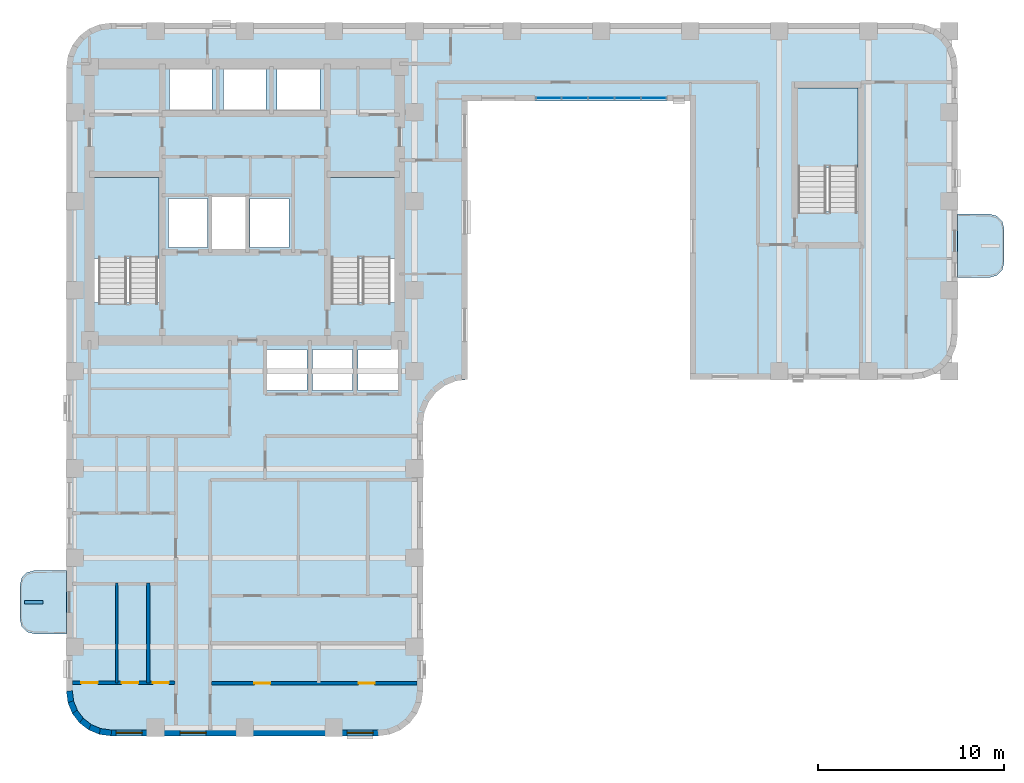
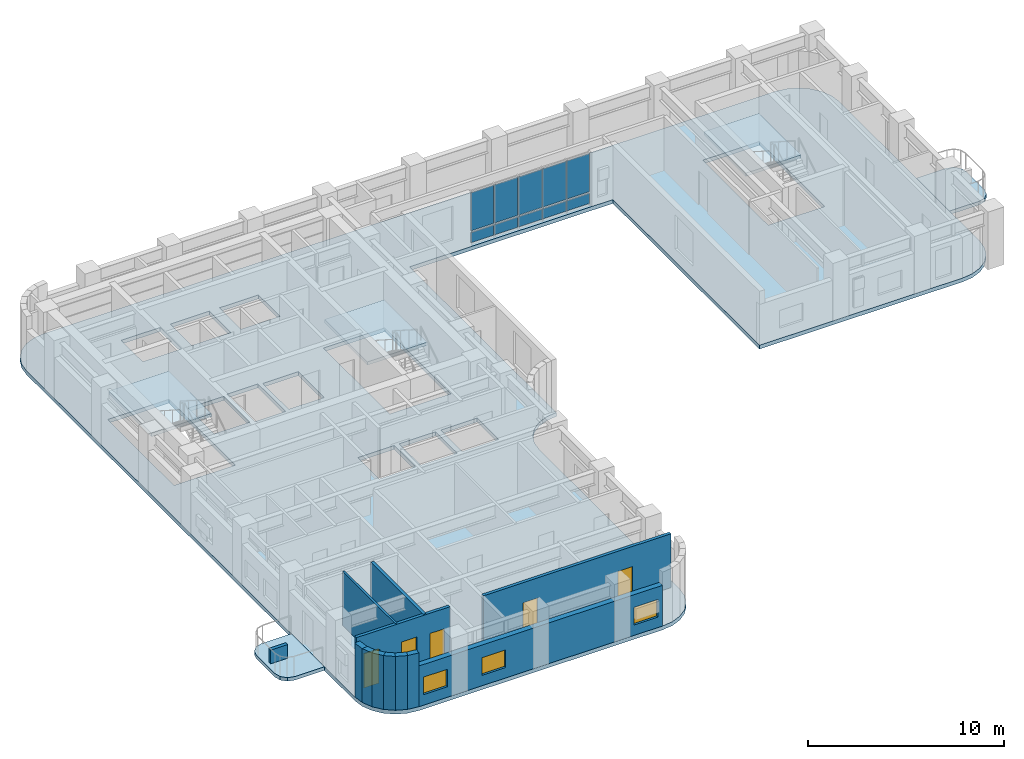
# One storey, part 3 of 11: 12 walls, 10 plates, 6 slabs, 5 doors, 3 windows, 8 openings, 4 elements without a shape of their own.
"""IFC4 building model written with IfcOpenShell, lengths in metres."""

from ifc_helpers import new_model, si_unit, direction, frame, frame_2d, origin, origin_2d, place, context, subcontext, project, spatial, polyline, rectangle, outline, extrude, material, layer, layer_set, type_object, element, fill, aggregate, save


model = new_model("IFC4")

# Units and contexts
model_context = context("Model", 3, precision=1e-05, world=origin(), true_north=direction((0.0, 1.0)))
body_context = subcontext(model_context, "Body", "Model", "MODEL_VIEW")
ifc_project = project(units=[si_unit("LENGTHUNIT", "METRE"), si_unit("AREAUNIT", "SQUARE_METRE"), si_unit("VOLUMEUNIT", "CUBIC_METRE"), si_unit("PLANEANGLEUNIT", "RADIAN"), si_unit("MASSUNIT", "GRAM", prefix="KILO")], contexts=[model_context])

# Site, building, storey
site_placement = place(None, origin())
site = spatial("IfcSite", under=ifc_project, at=site_placement, CompositionType="ELEMENT")
building_placement = place(site_placement, origin())
building = spatial("IfcBuilding", under=site, at=building_placement, Name="Orvandelia Arch Residences", CompositionType="ELEMENT")
storey_placement = place(building_placement, frame((0.0, 0.0, 175.60009765625)))
storey = spatial("IfcBuildingStorey", under=building, at=storey_placement, Name="L46", CompositionType="ELEMENT", Elevation=175.60009765625)

# Curtain wall, plates
ifc_material_1 = material(Name="Anodised Bronze Curtain Wall Assembly")
curtain_wall_type = type_object("IfcCurtainWallType", Name="CW-SYS4-PORTAL", PredefinedType="NOTDEFINED", material=ifc_material_1)
curtain_wall_placement = place(storey_placement, origin())
curtain_wall = element("IfcCurtainWall", 1, at=curtain_wall_placement, inside=storey, type_object=curtain_wall_type, Name="Void-Portal Bridge Curtain Wall L46 1", PredefinedType="NOTDEFINED")
ifc_material_2 = material(Name="Insulated Bronze Aluminium Spandrel Panel", Category="aluminium")
ifc_layer_1 = layer(ifc_material_2, 0.0400390625, Name="Insulated Bronze Aluminium Spandrel Panel", Category="aluminium")
ifc_layer_set_1 = layer_set([ifc_layer_1], Name="Insulated Bronze Aluminium Spandrel Panel")
plate_type_1 = type_object("IfcPlateType", Name="CW-PANEL-SPANDREL", PredefinedType="SHEET", material=ifc_layer_set_1)
plate_1_placement = place(storey_placement, frame((30.77197265625, 43.9599609375, 0.124755859375), z_axis=(0.0, 0.0, 1.0), x_axis=(1.0, 0.0, 0.0)))
plate_1 = element("IfcPlate", 2, at=plate_1_placement, type_object=plate_type_1, Name="Curtain Wall Spandrel Panel CW-L46-1-PS1", PredefinedType="SHEET", context=body_context, shape_type="SweptSolid", body=[
    extrude(rectangle(XDim=1.333984375, YDim=0.0400390625, at=origin_2d()), origin(), (0.0, 0.0, 1.0), 0.62646484375),
])
plate_2_placement = place(storey_placement, frame((32.176025390625, 43.9599609375, 0.124755859375), z_axis=(0.0, 0.0, 1.0), x_axis=(1.0, 0.0, 0.0)))
plate_2 = element("IfcPlate", 3, at=plate_2_placement, type_object=plate_type_1, Name="Curtain Wall Spandrel Panel CW-L46-1-PS2", PredefinedType="SHEET", context=body_context, shape_type="SweptSolid", body=[
    extrude(rectangle(XDim=1.3740234375, YDim=0.0400390625, at=origin_2d()), origin(), (0.0, 0.0, 1.0), 0.62646484375),
])
plate_3_placement = place(storey_placement, frame((33.60009765625, 43.9599609375, 0.124755859375), z_axis=(0.0, 0.0, 1.0), x_axis=(1.0, 0.0, 0.0)))
plate_3 = element("IfcPlate", 4, at=plate_3_placement, type_object=plate_type_1, Name="Curtain Wall Spandrel Panel CW-L46-1-PS3", PredefinedType="SHEET", context=body_context, shape_type="SweptSolid", body=[
    extrude(rectangle(XDim=1.3740234375, YDim=0.0400390625, at=origin_2d()), origin(), (0.0, 0.0, 1.0), 0.62646484375),
])
plate_4_placement = place(storey_placement, frame((35.02392578125, 43.9599609375, 0.124755859375), z_axis=(0.0, 0.0, 1.0), x_axis=(1.0, 0.0, 0.0)))
plate_4 = element("IfcPlate", 5, at=plate_4_placement, type_object=plate_type_1, Name="Curtain Wall Spandrel Panel CW-L46-1-PS4", PredefinedType="SHEET", context=body_context, shape_type="SweptSolid", body=[
    extrude(rectangle(XDim=1.3740234375, YDim=0.0400390625, at=origin_2d()), origin(), (0.0, 0.0, 1.0), 0.62646484375),
])
plate_5_placement = place(storey_placement, frame((36.427978515625, 43.9599609375, 0.124755859375), z_axis=(0.0, 0.0, 1.0), x_axis=(1.0, 0.0, 0.0)))
plate_5 = element("IfcPlate", 6, at=plate_5_placement, type_object=plate_type_1, Name="Curtain Wall Spandrel Panel CW-L46-1-PS5", PredefinedType="SHEET", context=body_context, shape_type="SweptSolid", body=[
    extrude(rectangle(XDim=1.333984375, YDim=0.0400390625, at=origin_2d()), origin(), (0.0, 0.0, 1.0), 0.62646484375),
])
ifc_material_3 = material(Name="Low-E Laminated Double Glazing", Category="glass")
ifc_layer_2 = layer(ifc_material_3, 0.031982421875, Name="Low-E Laminated Double Glazing", Category="glass")
ifc_layer_set_2 = layer_set([ifc_layer_2], Name="Low-E Laminated Double Glazing")
plate_type_2 = type_object("IfcPlateType", Name="CW-PANEL-VISION", PredefinedType="CURTAIN_PANEL", material=ifc_layer_set_2)
plate_6_placement = place(storey_placement, frame((30.77197265625, 43.9599609375, 0.861328125), z_axis=(0.0, 0.0, 1.0), x_axis=(1.0, 0.0, 0.0)))
plate_6 = element("IfcPlate", 7, at=plate_6_placement, type_object=plate_type_2, Name="Curtain Wall Vision Glass Panel CW-L46-1-PV1", PredefinedType="CURTAIN_PANEL", context=body_context, shape_type="SweptSolid", body=[
    extrude(rectangle(XDim=1.333984375, YDim=0.031982421875, at=origin_2d()), origin(), (0.0, 0.0, 1.0), 2.37353515625),
])
plate_7_placement = place(storey_placement, frame((32.176025390625, 43.9599609375, 0.861328125), z_axis=(0.0, 0.0, 1.0), x_axis=(1.0, 0.0, 0.0)))
plate_7 = element("IfcPlate", 8, at=plate_7_placement, type_object=plate_type_2, Name="Curtain Wall Vision Glass Panel CW-L46-1-PV2", PredefinedType="CURTAIN_PANEL", context=body_context, shape_type="SweptSolid", body=[
    extrude(rectangle(XDim=1.3740234375, YDim=0.031982421875, at=origin_2d()), origin(), (0.0, 0.0, 1.0), 2.37353515625),
])
plate_8_placement = place(storey_placement, frame((33.60009765625, 43.9599609375, 0.861328125), z_axis=(0.0, 0.0, 1.0), x_axis=(1.0, 0.0, 0.0)))
plate_8 = element("IfcPlate", 9, at=plate_8_placement, type_object=plate_type_2, Name="Curtain Wall Vision Glass Panel CW-L46-1-PV3", PredefinedType="CURTAIN_PANEL", context=body_context, shape_type="SweptSolid", body=[
    extrude(rectangle(XDim=1.3740234375, YDim=0.031982421875, at=origin_2d()), origin(), (0.0, 0.0, 1.0), 2.37353515625),
])
plate_9_placement = place(storey_placement, frame((35.02392578125, 43.9599609375, 0.861328125), z_axis=(0.0, 0.0, 1.0), x_axis=(1.0, 0.0, 0.0)))
plate_9 = element("IfcPlate", 10, at=plate_9_placement, type_object=plate_type_2, Name="Curtain Wall Vision Glass Panel CW-L46-1-PV4", PredefinedType="CURTAIN_PANEL", context=body_context, shape_type="SweptSolid", body=[
    extrude(rectangle(XDim=1.3740234375, YDim=0.031982421875, at=origin_2d()), origin(), (0.0, 0.0, 1.0), 2.37353515625),
])
plate_10_placement = place(storey_placement, frame((36.427978515625, 43.9599609375, 0.861328125), z_axis=(0.0, 0.0, 1.0), x_axis=(1.0, 0.0, 0.0)))
plate_10 = element("IfcPlate", 11, at=plate_10_placement, type_object=plate_type_2, Name="Curtain Wall Vision Glass Panel CW-L46-1-PV5", PredefinedType="CURTAIN_PANEL", context=body_context, shape_type="SweptSolid", body=[
    extrude(rectangle(XDim=1.333984375, YDim=0.031982421875, at=origin_2d()), origin(), (0.0, 0.0, 1.0), 2.37353515625),
])
aggregate(curtain_wall, [plate_1, plate_6, plate_2, plate_7, plate_3, plate_8, plate_4, plate_9, plate_5, plate_10])

# Slabs
ifc_material_4 = material(Name="Precast concrete C40/50", Category="concrete")
ifc_layer_3 = layer(ifc_material_4, 0.219970703125, Name="Precast concrete C40/50", Category="concrete")
ifc_layer_set_3 = layer_set([ifc_layer_3], Name="Precast concrete C40/50")
slab_type_1 = type_object("IfcSlabType", Name="SLB-BAL-220", PredefinedType="USERDEFINED", material=ifc_layer_set_3)
slab_1_placement = place(storey_placement, frame((0.0, 0.0, -0.22021484375)))
element("IfcSlab", 12, at=slab_1_placement, inside=storey, type_object=slab_type_1, Name="Tree Balcony Cantilever Slab BAL-L46-W1", ObjectType="BALCONY", PredefinedType="USERDEFINED", context=body_context, shape_type="SweptSolid", body=[
    extrude(outline(polyline([(4.800048828125, 15.10009765625), (4.800048828125, 18.5), (3.050048828125, 18.5), (2.675048828125, 18.3994140625), (2.400390625, 18.125), (2.300048828125, 17.75), (2.300048828125, 15.85009765625), (2.400390625, 15.47509765625), (2.675048828125, 15.200439453125), (3.050048828125, 15.10009765625), (4.800048828125, 15.10009765625)])), origin(), (0.0, 0.0, 1.0), 0.22021484375),
])
slab_2_placement = place(storey_placement, frame((0.0, 0.0, -0.22021484375)))
element("IfcSlab", 13, at=slab_2_placement, inside=storey, type_object=slab_type_1, Name="Tree Balcony Cantilever Slab BAL-L46-E1", ObjectType="BALCONY", PredefinedType="USERDEFINED", context=body_context, shape_type="SweptSolid", body=[
    extrude(outline(polyline([(52.800048828125, 37.699951171875), (52.800048828125, 34.300048828125), (54.550048828125, 34.300048828125), (54.925048828125, 34.400390625), (55.199462890625, 34.675048828125), (55.300048828125, 35.050048828125), (55.300048828125, 36.949951171875), (55.199462890625, 37.324951171875), (54.925048828125, 37.599609375), (54.550048828125, 37.699951171875), (52.800048828125, 37.699951171875)])), origin(), (0.0, 0.0, 1.0), 0.22021484375),
])

# Stair, slab
ifc_material_5 = material(Name="Concrete C40/50", Category="concrete")
stair_type = type_object("IfcStairType", Name="STAIR-RC-DOGLEG", PredefinedType="HALF_TURN_STAIR", material=ifc_material_5)
stair_1_placement = place(storey_placement, origin())
stair_1 = element("IfcStair", 14, at=stair_1_placement, inside=storey, type_object=stair_type, Name="L46 Protected Exit Stair ST-1", PredefinedType="HALF_TURN_STAIR")
ifc_layer_4 = layer(ifc_material_5, 0.219970703125, Name="Concrete C40/50", Category="concrete")
ifc_layer_set_4 = layer_set([ifc_layer_4], Name="Concrete C40/50")
slab_type_2 = type_object("IfcSlabType", Name="SLB-LANDING-220", PredefinedType="LANDING", material=ifc_layer_set_4)
slab_3_placement = place(storey_placement, frame((0.0, 0.0, 1.599853515625)))
slab_3 = element("IfcSlab", 15, at=slab_3_placement, type_object=slab_type_2, Name="ST-1 landing 1", PredefinedType="LANDING", context=body_context, shape_type="SweptSolid", body=[
    extrude(outline(polyline([(9.800048828125, 35.31005859375), (9.800048828125, 39.68994140625), (6.260009765625, 39.68994140625), (6.260009765625, 35.31005859375), (9.800048828125, 35.31005859375)])), origin(), (0.0, 0.0, 1.0), 0.199951171875),
])
aggregate(stair_1, [slab_3])

stair_2_placement = place(storey_placement, origin())
stair_2 = element("IfcStair", 16, at=stair_2_placement, inside=storey, type_object=stair_type, Name="L46 Protected Exit Stair ST-2", PredefinedType="HALF_TURN_STAIR")
slab_4_placement = place(storey_placement, frame((0.0, 0.0, 1.599853515625)))
slab_4 = element("IfcSlab", 17, at=slab_4_placement, type_object=slab_type_2, Name="ST-2 landing 1", PredefinedType="LANDING", context=body_context, shape_type="SweptSolid", body=[
    extrude(outline(polyline([(22.5400390625, 35.31005859375), (22.5400390625, 39.68994140625), (19.0, 39.68994140625), (19.0, 35.31005859375), (22.5400390625, 35.31005859375)])), origin(), (0.0, 0.0, 1.0), 0.199951171875),
])
aggregate(stair_2, [slab_4])

stair_3_placement = place(storey_placement, origin())
stair_3 = element("IfcStair", 18, at=stair_3_placement, inside=storey, type_object=stair_type, Name="L46 East Wing Exit Stair ST-3", PredefinedType="HALF_TURN_STAIR")
slab_5_placement = place(storey_placement, frame((0.0, 0.0, 1.599853515625)))
slab_5 = element("IfcSlab", 19, at=slab_5_placement, type_object=slab_type_2, Name="ST-3 landing 1", PredefinedType="LANDING", context=body_context, shape_type="SweptSolid", body=[
    extrude(outline(polyline([(47.43994140625, 40.2099609375), (47.43994140625, 44.5), (44.179931640625, 44.5), (44.179931640625, 40.2099609375), (47.43994140625, 40.2099609375)])), origin(), (0.0, 0.0, 1.0), 0.199951171875),
])
aggregate(stair_3, [slab_5])

# Slab
ifc_layer_5 = layer(ifc_material_5, 0.239990234375, Name="Concrete C40/50", Category="concrete")
ifc_layer_set_5 = layer_set([ifc_layer_5], Name="Concrete C40/50")
slab_type_3 = type_object("IfcSlabType", Name="SLB-TWR-240", PredefinedType="FLOOR", material=ifc_layer_set_5)
slab_6_placement = place(storey_placement, frame((0.0, 0.0, -0.239990234375)))
element("IfcSlab", 20, at=slab_6_placement, inside=storey, type_object=slab_type_3, Name="Structural Floor Slab L46-1", PredefinedType="FLOOR", context=body_context, shape_type="SweptSolid", body=[
    extrude(outline(polyline([(4.800048828125, 12.0), (4.8818359375, 11.37890625), (5.12158203125, 10.800048828125), (5.5029296875, 10.302978515625), (6.0, 9.92138671875), (6.578857421875, 9.681884765625), (7.199951171875, 9.60009765625), (21.60009765625, 9.60009765625), (22.22119140625, 9.681884765625), (22.800048828125, 9.92138671875), (23.297119140625, 10.302978515625), (23.678466796875, 10.800048828125), (23.918212890625, 11.37890625), (24.0, 12.0), (24.0, 26.39990234375), (24.081787109375, 27.021240234375), (24.321533203125, 27.60009765625), (24.702880859375, 28.09716796875), (25.199951171875, 28.478515625), (25.77880859375, 28.71826171875), (26.39990234375, 28.800048828125), (26.39990234375, 43.800048828125), (38.39990234375, 43.800048828125), (38.39990234375, 28.800048828125), (50.39990234375, 28.800048828125), (51.021240234375, 28.8818359375), (51.60009765625, 29.12158203125), (52.09716796875, 29.5029296875), (52.478515625, 30.0), (52.71826171875, 30.578857421875), (52.800048828125, 31.199951171875), (52.800048828125, 45.60009765625), (52.71826171875, 46.22119140625), (52.478515625, 46.800048828125), (52.09716796875, 47.297119140625), (51.60009765625, 47.678466796875), (51.021240234375, 47.918212890625), (50.39990234375, 48.0), (7.199951171875, 48.0), (6.578857421875, 47.918212890625), (6.0, 47.678466796875), (5.5029296875, 47.297119140625), (5.12158203125, 46.800048828125), (4.8818359375, 46.22119140625), (4.800048828125, 45.60009765625), (4.800048828125, 12.0)]), holes=[polyline([(6.219970703125, 32.949951171875), (9.840087890625, 32.949951171875), (9.840087890625, 39.72998046875), (6.219970703125, 39.72998046875), (6.219970703125, 32.949951171875)]), polyline([(18.9599609375, 32.949951171875), (22.580078125, 32.949951171875), (22.580078125, 39.72998046875), (18.9599609375, 39.72998046875), (18.9599609375, 32.949951171875)]), polyline([(44.139892578125, 37.85009765625), (47.47998046875, 37.85009765625), (47.47998046875, 44.5400390625), (44.139892578125, 44.5400390625), (44.139892578125, 37.85009765625)]), polyline([(12.639892578125, 35.81005859375), (14.4599609375, 35.81005859375), (14.4599609375, 38.639892578125), (12.639892578125, 38.639892578125), (12.639892578125, 35.81005859375)]), polyline([(10.300048828125, 35.89990234375), (12.39990234375, 35.89990234375), (12.39990234375, 38.550048828125), (10.300048828125, 38.550048828125), (10.300048828125, 35.89990234375)]), polyline([(14.699951171875, 35.89990234375), (16.800048828125, 35.89990234375), (16.800048828125, 38.550048828125), (14.699951171875, 38.550048828125), (14.699951171875, 35.89990234375)]), polyline([(10.35009765625, 43.300048828125), (12.64990234375, 43.300048828125), (12.64990234375, 45.5), (10.35009765625, 45.5), (10.35009765625, 43.300048828125)]), polyline([(13.25, 43.300048828125), (15.550048828125, 43.300048828125), (15.550048828125, 45.5), (13.25, 45.5), (13.25, 43.300048828125)]), polyline([(16.14990234375, 43.300048828125), (18.449951171875, 43.300048828125), (18.449951171875, 45.5), (16.14990234375, 45.5), (16.14990234375, 43.300048828125)]), polyline([(15.60009765625, 28.199951171875), (17.75, 28.199951171875), (17.75, 30.39990234375), (15.60009765625, 30.39990234375), (15.60009765625, 28.199951171875)]), polyline([(18.050048828125, 28.199951171875), (20.199951171875, 28.199951171875), (20.199951171875, 30.39990234375), (18.050048828125, 30.39990234375), (18.050048828125, 28.199951171875)]), polyline([(20.5, 28.199951171875), (22.64990234375, 28.199951171875), (22.64990234375, 30.39990234375), (20.5, 30.39990234375), (20.5, 28.199951171875)])]), origin(), (0.0, 0.0, 1.0), 0.239990234375),
])

# Wall, openings, windows
ifc_layer_6 = layer(ifc_material_4, 0.320068359375, Name="Precast concrete C40/50", Category="concrete")
ifc_layer_set_6 = layer_set([ifc_layer_6], Name="Precast concrete C40/50")
wall_type_1 = type_object("IfcWallType", Name="WL-EXT-STONE-320", PredefinedType="STANDARD", material=ifc_layer_set_6)
wall_1_placement = place(storey_placement, frame((21.60009765625, 9.760009765625, 0.0), z_axis=(0.0, 0.0, 1.0), x_axis=(-1.0, 0.0, 0.0)))
wall_1 = element("IfcWall", 21, at=wall_1_placement, inside=storey, type_object=wall_type_1, Name="Coral-Limestone Precast Facade Wall L46-039", PredefinedType="STANDARD", context=body_context, shape_type="SweptSolid", body=[
    extrude(rectangle(XDim=14.400146484375, YDim=0.320068359375, at=frame_2d((7.2001953125, 0.0))), origin(), (0.0, 0.0, 1.0), 2.539794921875),
])
opening_1_placement = place(wall_1_placement, frame((0.282470703125, 0.0, 0.64990234375)))
opening_1 = element("IfcOpeningElement", 22, at=opening_1_placement, cuts=wall_1, Name="Opening W10", PredefinedType="OPENING", context=body_context, shape_type="SweptSolid", body=[
    extrude(rectangle(XDim=1.39990234375, YDim=1.10009765625, at=frame_2d((0.699951171875, 0.550048828125))), frame((0.0, 0.169921875, 0.0), z_axis=(0.0, -1.0, 0.0), x_axis=(1.0, 0.0, 0.0)), (0.0, 0.0, 1.0), 0.340087890625),
])
opening_2_placement = place(wall_1_placement, frame((9.27490234375, 0.0, 0.64990234375)))
opening_2 = element("IfcOpeningElement", 23, at=opening_2_placement, cuts=wall_1, Name="Opening W10", PredefinedType="OPENING", context=body_context, shape_type="SweptSolid", body=[
    extrude(rectangle(XDim=1.39990234375, YDim=1.10009765625, at=frame_2d((0.699951171875, 0.550048828125))), frame((0.0, 0.169921875, 0.0), z_axis=(0.0, -1.0, 0.0), x_axis=(1.0, 0.0, 0.0)), (0.0, 0.0, 1.0), 0.340087890625),
])
opening_3_placement = place(wall_1_placement, frame((12.717529296875, 0.0, 0.64990234375)))
opening_3 = element("IfcOpeningElement", 24, at=opening_3_placement, cuts=wall_1, Name="Opening W10", PredefinedType="OPENING", context=body_context, shape_type="SweptSolid", body=[
    extrude(rectangle(XDim=1.39990234375, YDim=1.10009765625, at=frame_2d((0.699951171875, 0.550048828125))), frame((0.0, 0.169921875, 0.0), z_axis=(0.0, -1.0, 0.0), x_axis=(1.0, 0.0, 0.0)), (0.0, 0.0, 1.0), 0.340087890625),
])
ifc_material_6 = material(Name="Tempered Low-E Insulated Glazing", Category="glass")
window_type = type_object("IfcWindowType", Name="WIN-CLR-1400x1100", PartitioningType="SINGLE_PANEL", PredefinedType="WINDOW", material=ifc_material_6)
window_1_placement = place(opening_1_placement, origin())
window_1 = element("IfcWindow", 25, at=window_1_placement, inside=storey, type_object=window_type, Name="Recessed Punched Window L46-021", OverallHeight=1.10009765625, OverallWidth=1.39990234375, PartitioningType="SINGLE_PANEL", PredefinedType="WINDOW", context=body_context, shape_type="SweptSolid", body=[
    extrude(rectangle(XDim=1.39990234375, YDim=1.10009765625, at=frame_2d((0.699951171875, 0.550048828125))), frame((0.0, 0.030029296875, 0.0), z_axis=(0.0, -1.0, 0.0), x_axis=(1.0, 0.0, 0.0)), (0.0, 0.0, 1.0), 0.06005859375),
])
fill(opening_1, window_1)
window_2_placement = place(opening_2_placement, origin())
window_2 = element("IfcWindow", 26, at=window_2_placement, inside=storey, type_object=window_type, Name="Recessed Punched Window L46-022", OverallHeight=1.10009765625, OverallWidth=1.39990234375, PartitioningType="SINGLE_PANEL", PredefinedType="WINDOW", context=body_context, shape_type="SweptSolid", body=[
    extrude(rectangle(XDim=1.39990234375, YDim=1.10009765625, at=frame_2d((0.699951171875, 0.550048828125))), frame((0.0, 0.030029296875, 0.0), z_axis=(0.0, -1.0, 0.0), x_axis=(1.0, 0.0, 0.0)), (0.0, 0.0, 1.0), 0.06005859375),
])
fill(opening_2, window_2)
window_3_placement = place(opening_3_placement, origin())
window_3 = element("IfcWindow", 27, at=window_3_placement, inside=storey, type_object=window_type, Name="Recessed Punched Window L46-023", OverallHeight=1.10009765625, OverallWidth=1.39990234375, PartitioningType="SINGLE_PANEL", PredefinedType="WINDOW", context=body_context, shape_type="SweptSolid", body=[
    extrude(rectangle(XDim=1.39990234375, YDim=1.10009765625, at=frame_2d((0.699951171875, 0.550048828125))), frame((0.0, 0.030029296875, 0.0), z_axis=(0.0, -1.0, 0.0), x_axis=(1.0, 0.0, 0.0)), (0.0, 0.0, 1.0), 0.06005859375),
])
fill(opening_3, window_3)

# Walls
wall_2_placement = place(storey_placement, frame((7.220947265625, 9.758544921875, 0.0), z_axis=(0.0, 0.0, 1.0), x_axis=(-0.991447664465, 0.130504898859, 0.0)))
element("IfcWall", 28, at=wall_2_placement, inside=storey, type_object=wall_type_1, Name="Coral-Limestone Precast Facade Wall L46-040", PredefinedType="STANDARD", context=body_context, shape_type="SweptSolid", body=[
    extrude(rectangle(XDim=0.626708984375, YDim=0.320068359375, at=frame_2d((0.3134765625, 0.0))), origin(), (0.0, 0.0, 1.0), 3.35986328125),
])
wall_3_placement = place(storey_placement, frame((6.639892578125, 9.82958984375, 0.0), z_axis=(0.0, 0.0, 1.0), x_axis=(-0.923836271867, 0.382787856107, 0.0)))
element("IfcWall", 29, at=wall_3_placement, inside=storey, type_object=wall_type_1, Name="Coral-Limestone Precast Facade Wall L46-041", PredefinedType="STANDARD", context=body_context, shape_type="SweptSolid", body=[
    extrude(rectangle(XDim=0.626220703125, YDim=0.320068359375, at=frame_2d((0.31298828125, 0.0))), origin(), (0.0, 0.0, 1.0), 3.35986328125),
])
wall_4_placement = place(storey_placement, frame((6.097412109375, 10.04833984375, 0.0), z_axis=(0.0, 0.0, 1.0), x_axis=(-0.793405610854, 0.608693302629, 0.0)))
element("IfcWall", 30, at=wall_4_placement, inside=storey, type_object=wall_type_1, Name="Coral-Limestone Precast Facade Wall L46-042", PredefinedType="STANDARD", context=body_context, shape_type="SweptSolid", body=[
    extrude(rectangle(XDim=0.62646484375, YDim=0.320068359375, at=frame_2d((0.313232421875, 0.0))), origin(), (0.0, 0.0, 1.0), 3.35986328125),
])
wall_5_placement = place(storey_placement, frame((5.6298828125, 10.400390625, 0.0), z_axis=(0.0, 0.0, 1.0), x_axis=(-0.608938521285, 0.7932174212, 0.0)))
element("IfcWall", 31, at=wall_5_placement, inside=storey, type_object=wall_type_1, Name="Coral-Limestone Precast Facade Wall L46-043", PredefinedType="STANDARD", context=body_context, shape_type="SweptSolid", body=[
    extrude(rectangle(XDim=0.626708984375, YDim=0.320068359375, at=frame_2d((0.3134765625, 0.0))), origin(), (0.0, 0.0, 1.0), 3.35986328125),
])
wall_6_placement = place(storey_placement, frame((5.269287109375, 10.861083984375, 0.0), z_axis=(0.0, 0.0, 1.0), x_axis=(-0.382650053678, 0.92389335771, 0.0)))
element("IfcWall", 32, at=wall_6_placement, inside=storey, type_object=wall_type_1, Name="Coral-Limestone Precast Facade Wall L46-044", PredefinedType="STANDARD", context=body_context, shape_type="SweptSolid", body=[
    extrude(rectangle(XDim=0.62646484375, YDim=0.320068359375, at=frame_2d((0.313232421875, 0.0))), origin(), (0.0, 0.0, 1.0), 3.35986328125),
])
wall_7_placement = place(storey_placement, frame((5.040283203125, 11.399658203125, 0.0), z_axis=(0.0, 0.0, 1.0), x_axis=(-0.130504898859, 0.991447664465, 0.0)))
element("IfcWall", 33, at=wall_7_placement, inside=storey, type_object=wall_type_1, Name="Coral-Limestone Precast Facade Wall L46-045", PredefinedType="STANDARD", context=body_context, shape_type="SweptSolid", body=[
    extrude(rectangle(XDim=0.626708984375, YDim=0.320068359375, at=frame_2d((0.3134765625, 0.0))), origin(), (0.0, 0.0, 1.0), 3.35986328125),
])
ifc_material_7 = material(Name="Lightweight Gypsum Stud Partition")
ifc_layer_7 = layer(ifc_material_7, 0.1201171875, Name="Lightweight Gypsum Stud Partition")
ifc_layer_set_7 = layer_set([ifc_layer_7], Name="Lightweight Gypsum Stud Partition")
wall_type_2 = type_object("IfcWallType", Name="WL-PART-120", PredefinedType="PARTITIONING", material=ifc_layer_set_7)
wall_8_placement = place(storey_placement, frame((7.514892578125, 12.4619140625, 0.0), z_axis=(0.0, 0.0, 1.0), x_axis=(0.0, 1.0, 0.0)))
element("IfcWall", 34, at=wall_8_placement, inside=storey, type_object=wall_type_2, Name="Interior Partition Wall WL-L46-U01-V1", PredefinedType="PARTITIONING", context=body_context, shape_type="SweptSolid", body=[
    extrude(rectangle(XDim=5.378173828125, YDim=0.1201171875, at=frame_2d((2.68896484375, 0.0))), origin(), (0.0, 0.0, 1.0), 3.35986328125),
])
ifc_layer_8 = layer(ifc_material_4, 0.199951171875, Name="Precast concrete C40/50", Category="concrete")
ifc_layer_set_8 = layer_set([ifc_layer_8], Name="Precast concrete C40/50")
wall_type_3 = type_object("IfcWallType", Name="WL-PLANTER-200", PredefinedType="MOVABLE", material=ifc_layer_set_8)
wall_9_placement = place(storey_placement, frame((2.550048828125, 16.800048828125, 0.0), z_axis=(0.0, 0.0, 1.0), x_axis=(1.0, 0.0, 0.0)))
element("IfcWall", 35, at=wall_9_placement, inside=storey, type_object=wall_type_3, Name="Balcony Precast Tree Planter BAL-L46-W1", PredefinedType="MOVABLE", context=body_context, shape_type="SweptSolid", body=[
    extrude(rectangle(XDim=1.0, YDim=0.199951171875, at=frame_2d((0.5, 0.0))), origin(), (0.0, 0.0, 1.0), 0.849853515625),
])

# Wall, openings, doors
ifc_material_8 = material(Name="Moisture-Resistant Plumbing Wall")
ifc_layer_9 = layer(ifc_material_8, 0.179931640625, Name="Moisture-Resistant Plumbing Wall")
ifc_layer_set_9 = layer_set([ifc_layer_9], Name="Moisture-Resistant Plumbing Wall")
wall_type_4 = type_object("IfcWallType", Name="WL-WET-180", PredefinedType="PLUMBINGWALL", material=ifc_layer_set_9)
wall_10_placement = place(storey_placement, frame((5.1201171875, 12.4619140625, 0.0), z_axis=(0.0, 0.0, 1.0), x_axis=(1.0, 0.0, 0.0)))
wall_10 = element("IfcWall", 36, at=wall_10_placement, inside=storey, type_object=wall_type_4, Name="Interior Partition Wall WL-L46-U01-HZ", PredefinedType="PLUMBINGWALL", context=body_context, shape_type="SweptSolid", body=[
    extrude(rectangle(XDim=5.519775390625, YDim=0.179931640625, at=frame_2d((2.759765625, 0.0))), origin(), (0.0, 0.0, 1.0), 3.35986328125),
])
opening_4_placement = place(wall_10_placement, frame((0.47216796875, 0.0, 0.0)))
opening_4 = element("IfcOpeningElement", 37, at=opening_4_placement, cuts=wall_10, Name="Opening D3", PredefinedType="OPENING", context=body_context, shape_type="SweptSolid", body=[
    extrude(rectangle(XDim=0.89990234375, YDim=2.14990234375, at=frame_2d((0.449951171875, 1.074951171875))), frame((0.0, 0.10009765625, 0.0), z_axis=(0.0, -1.0, 0.0), x_axis=(1.0, 0.0, 0.0)), (0.0, 0.0, 1.0), 0.199951171875),
])
opening_5_placement = place(wall_10_placement, frame((2.655029296875, 0.0, 0.0)))
opening_5 = element("IfcOpeningElement", 38, at=opening_5_placement, cuts=wall_10, Name="Opening D3", PredefinedType="OPENING", context=body_context, shape_type="SweptSolid", body=[
    extrude(rectangle(XDim=0.89990234375, YDim=2.14990234375, at=frame_2d((0.449951171875, 1.074951171875))), frame((0.0, 0.10009765625, 0.0), z_axis=(0.0, -1.0, 0.0), x_axis=(1.0, 0.0, 0.0)), (0.0, 0.0, 1.0), 0.199951171875),
])
opening_6_placement = place(wall_10_placement, frame((4.342041015625, 0.0, 0.0)))
opening_6 = element("IfcOpeningElement", 39, at=opening_6_placement, cuts=wall_10, Name="Opening D4", PredefinedType="OPENING", context=body_context, shape_type="SweptSolid", body=[
    extrude(rectangle(XDim=0.860107421875, YDim=2.10009765625, at=frame_2d((0.43017578125, 1.050048828125))), frame((0.0, 0.10009765625, 0.0), z_axis=(0.0, -1.0, 0.0), x_axis=(1.0, 0.0, 0.0)), (0.0, 0.0, 1.0), 0.199951171875),
])
ifc_material_9 = material(Name="Engineered Timber Flush Door", Category="wood")
door_type_1 = type_object("IfcDoorType", Name="DR-INT-900", OperationType="NOTDEFINED", PredefinedType="DOOR", material=ifc_material_9)
door_1_placement = place(opening_4_placement, origin())
door_1 = element("IfcDoor", 40, at=door_1_placement, inside=storey, type_object=door_type_1, Name="DR-L46-U01-BD1", OperationType="SINGLE_SWING_LEFT", OverallHeight=2.14990234375, OverallWidth=0.89990234375, PredefinedType="DOOR", context=body_context, shape_type="SweptSolid", body=[
    extrude(rectangle(XDim=0.89990234375, YDim=2.14990234375, at=frame_2d((0.449951171875, 1.074951171875))), frame((0.0, 0.02490234375, 0.0), z_axis=(0.0, -1.0, 0.0), x_axis=(1.0, 0.0, 0.0)), (0.0, 0.0, 1.0), 0.050048828125),
])
fill(opening_4, door_1)
door_2_placement = place(opening_5_placement, origin())
door_2 = element("IfcDoor", 41, at=door_2_placement, inside=storey, type_object=door_type_1, Name="DR-L46-U01-KIT", OperationType="SINGLE_SWING_RIGHT", OverallHeight=2.14990234375, OverallWidth=0.89990234375, PredefinedType="DOOR", context=body_context, shape_type="SweptSolid", body=[
    extrude(rectangle(XDim=0.89990234375, YDim=2.14990234375, at=frame_2d((0.449951171875, 1.074951171875))), frame((0.0, 0.02490234375, 0.0), z_axis=(0.0, -1.0, 0.0), x_axis=(1.0, 0.0, 0.0)), (0.0, 0.0, 1.0), 0.050048828125),
])
fill(opening_5, door_2)
ifc_material_10 = material(Name="Moisture-Sealed Timber Bathroom Door", Category="wood")
door_type_2 = type_object("IfcDoorType", Name="DR-WET-900", OperationType="NOTDEFINED", PredefinedType="DOOR", material=ifc_material_10)
door_3_placement = place(opening_6_placement, origin())
door_3 = element("IfcDoor", 42, at=door_3_placement, inside=storey, type_object=door_type_2, Name="DR-L46-U01-BTH", OperationType="SINGLE_SWING_LEFT", OverallHeight=2.10009765625, OverallWidth=0.860107421875, PredefinedType="DOOR", context=body_context, shape_type="SweptSolid", body=[
    extrude(rectangle(XDim=0.860107421875, YDim=2.10009765625, at=frame_2d((0.43017578125, 1.050048828125))), frame((0.0, 0.02490234375, 0.0), z_axis=(0.0, -1.0, 0.0), x_axis=(1.0, 0.0, 0.0)), (0.0, 0.0, 1.0), 0.050048828125),
])
fill(opening_6, door_3)

# Wall
wall_11_placement = place(storey_placement, frame((9.201904296875, 12.4619140625, 0.0), z_axis=(0.0, 0.0, 1.0), x_axis=(0.0, 1.0, 0.0)))
element("IfcWall", 43, at=wall_11_placement, inside=storey, type_object=wall_type_4, Name="Interior Partition Wall WL-L46-U01-V2", PredefinedType="PLUMBINGWALL", context=body_context, shape_type="SweptSolid", body=[
    extrude(rectangle(XDim=5.378173828125, YDim=0.179931640625, at=frame_2d((2.68896484375, 0.0))), origin(), (0.0, 0.0, 1.0), 3.35986328125),
])

# Wall, openings, doors
wall_12_placement = place(storey_placement, frame((12.610107421875, 12.444091796875, 0.0), z_axis=(0.0, 0.0, 1.0), x_axis=(1.0, 0.0, 0.0)))
wall_12 = element("IfcWall", 44, at=wall_12_placement, inside=storey, type_object=wall_type_4, Name="Interior Partition Wall WL-L46-U03-HZ", PredefinedType="PLUMBINGWALL", context=body_context, shape_type="SweptSolid", body=[
    extrude(rectangle(XDim=11.06982421875, YDim=0.179931640625, at=frame_2d((5.534912109375, 0.0))), origin(), (0.0, 0.0, 1.0), 3.35986328125),
])
opening_7_placement = place(wall_12_placement, frame((2.319091796875, 0.0, 0.0)))
opening_7 = element("IfcOpeningElement", 45, at=opening_7_placement, cuts=wall_12, Name="Opening D4", PredefinedType="OPENING", context=body_context, shape_type="SweptSolid", body=[
    extrude(rectangle(XDim=0.860107421875, YDim=2.10009765625, at=frame_2d((0.43017578125, 1.050048828125))), frame((0.0, 0.10009765625, 0.0), z_axis=(0.0, -1.0, 0.0), x_axis=(1.0, 0.0, 0.0)), (0.0, 0.0, 1.0), 0.199951171875),
])
opening_8_placement = place(wall_12_placement, frame((7.93408203125, 0.0, 0.0)))
opening_8 = element("IfcOpeningElement", 46, at=opening_8_placement, cuts=wall_12, Name="Opening D4", PredefinedType="OPENING", context=body_context, shape_type="SweptSolid", body=[
    extrude(rectangle(XDim=0.860107421875, YDim=2.10009765625, at=frame_2d((0.43017578125, 1.050048828125))), frame((0.0, 0.10009765625, 0.0), z_axis=(0.0, -1.0, 0.0), x_axis=(1.0, 0.0, 0.0)), (0.0, 0.0, 1.0), 0.199951171875),
])
door_4_placement = place(opening_7_placement, origin())
door_4 = element("IfcDoor", 47, at=door_4_placement, inside=storey, type_object=door_type_2, Name="DR-L46-U03-KIT", OperationType="SINGLE_SWING_LEFT", OverallHeight=2.10009765625, OverallWidth=0.860107421875, PredefinedType="DOOR", context=body_context, shape_type="SweptSolid", body=[
    extrude(rectangle(XDim=0.860107421875, YDim=2.10009765625, at=frame_2d((0.43017578125, 1.050048828125))), frame((0.0, 0.02490234375, 0.0), z_axis=(0.0, -1.0, 0.0), x_axis=(1.0, 0.0, 0.0)), (0.0, 0.0, 1.0), 0.050048828125),
])
fill(opening_7, door_4)
door_5_placement = place(opening_8_placement, origin())
door_5 = element("IfcDoor", 48, at=door_5_placement, inside=storey, type_object=door_type_2, Name="DR-L46-U03-BTH", OperationType="SINGLE_SWING_RIGHT", OverallHeight=2.10009765625, OverallWidth=0.860107421875, PredefinedType="DOOR", context=body_context, shape_type="SweptSolid", body=[
    extrude(rectangle(XDim=0.860107421875, YDim=2.10009765625, at=frame_2d((0.43017578125, 1.050048828125))), frame((0.0, 0.02490234375, 0.0), z_axis=(0.0, -1.0, 0.0), x_axis=(1.0, 0.0, 0.0)), (0.0, 0.0, 1.0), 0.050048828125),
])
fill(opening_8, door_5)

save(model, "model.ifc")
